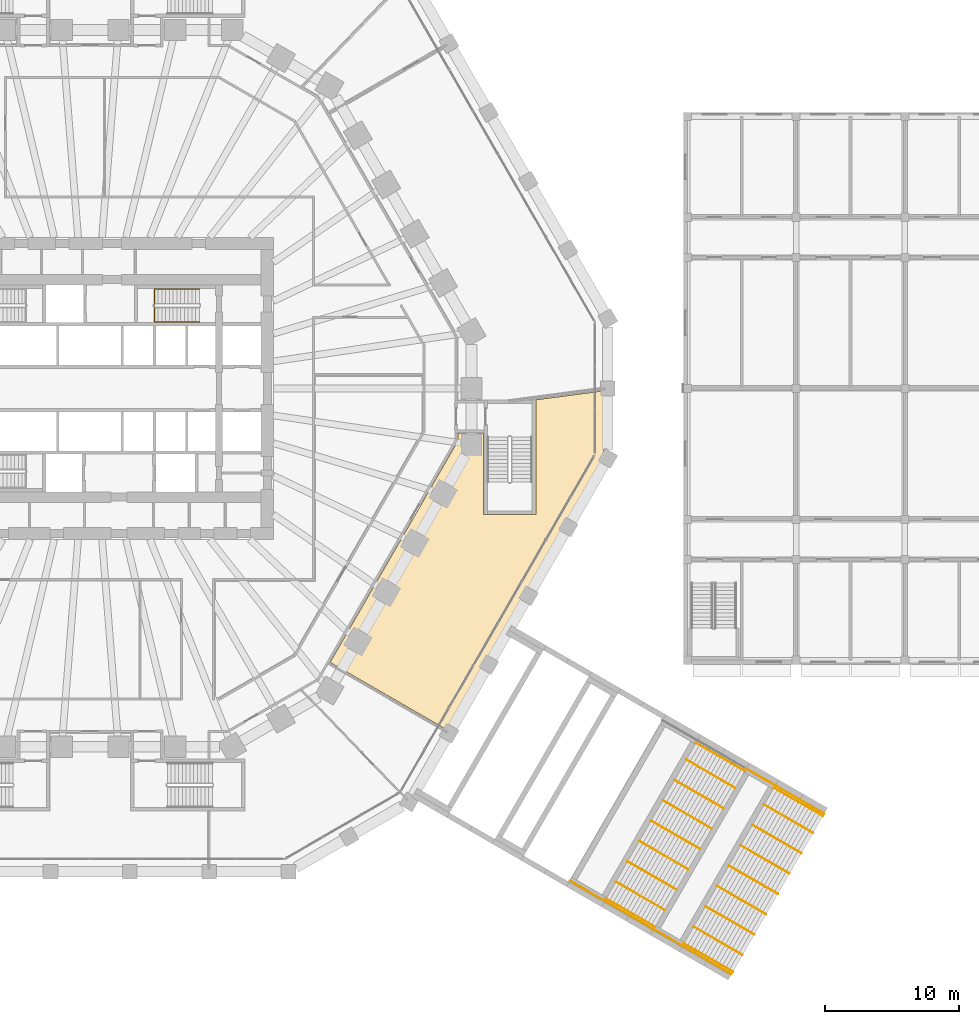
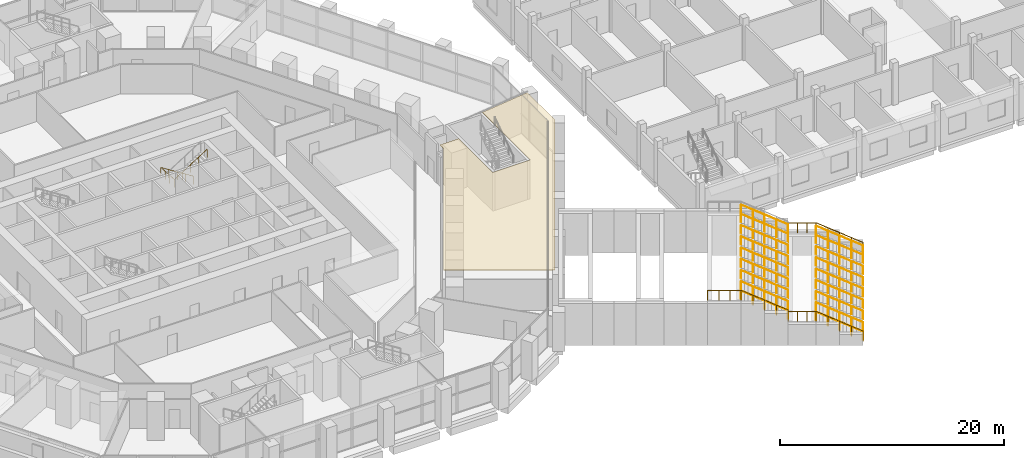
# One storey, part 34 of 38: 25 railings, 1 covering.
"""IFC4 building model written with IfcOpenShell, lengths in metres."""

from ifc_helpers import new_model, si_unit, direction, frame, origin, origin_2d, place, context, subcontext, project, spatial, polyline, circle, outline, extrude, material, layer, layer_set, type_object, element, save


model = new_model("IFC4")

# Units and contexts
model_context = context("Model", 3, precision=1e-05, world=origin(), true_north=direction((0.0, 1.0)))
body_context = subcontext(model_context, "Body", "Model", "MODEL_VIEW")
ifc_project = project(units=[si_unit("LENGTHUNIT", "METRE"), si_unit("AREAUNIT", "SQUARE_METRE"), si_unit("VOLUMEUNIT", "CUBIC_METRE"), si_unit("PLANEANGLEUNIT", "RADIAN"), si_unit("MASSUNIT", "GRAM", prefix="KILO")], contexts=[model_context])

# Site, building, storey
site_placement = place(None, origin())
site = spatial("IfcSite", under=ifc_project, at=site_placement, CompositionType="ELEMENT")
building_placement = place(site_placement, origin())
building = spatial("IfcBuilding", under=site, at=building_placement, Name="Frailejon Research Tower", CompositionType="ELEMENT")
storey_placement = place(building_placement, frame((0.0, 0.0, 5.60009765625)))
storey = spatial("IfcBuildingStorey", under=building, at=storey_placement, Name="L01", CompositionType="ELEMENT", Elevation=5.60009765625)

# Railings
ifc_material_1 = material(Name="Galvanised steel balustrade", Category="steel")
railing_type_1 = type_object("IfcRailingType", Name="Broad stair guard 1100", PredefinedType="GUARDRAIL", material=ifc_material_1)
railing_1_placement = place(storey_placement, frame((35.7451171875, -36.687744140625, 4.599853515625)))
element("IfcRailing", 1, at=railing_1_placement, inside=storey, type_object=railing_type_1, Name="Broad stair E2 landing guard", PredefinedType="GUARDRAIL", context=body_context, shape_type="SweptSolid", body=[
    extrude(circle(Radius=0.02392578125, at=origin_2d()), frame((0.0, 0.0, 1.076171875), z_axis=(0.866010750942, -0.50002537861, 0.0), x_axis=(0.50002537861, 0.866010750942, 0.0)), (0.0, 0.0, 1.0), 2.999755859375),
    extrude(circle(Radius=0.02099609375, at=origin_2d()), origin(), (0.0, 0.0, 1.0), 1.052001953125),
    extrude(circle(Radius=0.02099609375, at=origin_2d()), frame((0.865966796875, -0.5, 0.0)), (0.0, 0.0, 1.0), 1.052001953125),
    extrude(circle(Radius=0.02099609375, at=origin_2d()), frame((1.73193359375, -1.0, 0.0)), (0.0, 0.0, 1.0), 1.052001953125),
    extrude(circle(Radius=0.02099609375, at=origin_2d()), frame((2.597900390625, -1.5, 0.0)), (0.0, 0.0, 1.0), 1.052001953125),
])
for number, where, name in (
    (2, (41.98046875, -40.287841796875, 2.2998046875), "Broad stair E2 landing guard"),
    (3, (48.88037109375, -28.336669921875, 2.2998046875), "Broad stair E2 landing guard"),
):
    element("IfcRailing", number, at=place(storey_placement, frame(where)), inside=storey, type_object=railing_type_1, Name=name, PredefinedType="GUARDRAIL", context=body_context, shape_type="SweptSolid", body=[
        extrude(circle(Radius=0.02392578125, at=origin_2d()), frame((0.0, 0.0, 1.076171875), z_axis=(0.866022959057, -0.500004234368, 0.0), x_axis=(0.500004234368, 0.866022959057, 0.0)), (0.0, 0.0, 1.0), 2.5),
        extrude(circle(Radius=0.02099609375, at=origin_2d()), origin(), (0.0, 0.0, 1.0), 1.052001953125),
        extrude(circle(Radius=0.02099609375, at=origin_2d()), frame((0.7216796875, -0.416748046875, 0.0)), (0.0, 0.0, 1.0), 1.052001953125),
        extrude(circle(Radius=0.02099609375, at=origin_2d()), frame((1.443359375, -0.833251953125, 0.0)), (0.0, 0.0, 1.0), 1.052001953125),
        extrude(circle(Radius=0.02099609375, at=origin_2d()), frame((2.1650390625, -1.25, 0.0)), (0.0, 0.0, 1.0), 1.052001953125),
    ])
railing_2_placement = place(storey_placement, frame((41.98046875, -40.287841796875, 2.453125)))
element("IfcRailing", 4, at=railing_2_placement, inside=storey, type_object=railing_type_1, Name="Broad stair E2 flight guard", PredefinedType="GUARDRAIL", context=body_context, shape_type="SweptSolid", body=[
    extrude(circle(Radius=0.02392578125, at=origin_2d()), frame((0.0, 0.0, 1.076171875), z_axis=(-0.771139760851, 0.445220768027, 0.455106511656), x_axis=(-0.500002543286, -0.866023935413, 0.0)), (0.0, 0.0, 1.0), 4.717041015625),
    extrude(circle(Radius=0.02099609375, at=origin_2d()), origin(), (0.0, 0.0, 1.0), 1.052001953125),
    extrude(circle(Radius=0.02099609375, at=origin_2d()), frame((-0.909423828125, 0.52490234375, 0.53662109375)), (0.0, 0.0, 1.0), 1.052001953125),
    extrude(circle(Radius=0.02099609375, at=origin_2d()), frame((-1.81884765625, 1.050048828125, 1.0732421875)), (0.0, 0.0, 1.0), 1.052001953125),
    extrude(circle(Radius=0.02099609375, at=origin_2d()), frame((-2.72802734375, 1.5751953125, 1.610107421875)), (0.0, 0.0, 1.0), 1.052001953125),
    extrude(circle(Radius=0.02099609375, at=origin_2d()), frame((-3.637451171875, 2.10009765625, 2.146728515625)), (0.0, 0.0, 1.0), 1.052001953125),
])
railing_3_placement = place(storey_placement, frame((47.78271484375, -43.6376953125, 0.1533203125)))
element("IfcRailing", 5, at=railing_3_placement, inside=storey, type_object=railing_type_1, Name="Broad stair E2 flight guard", PredefinedType="GUARDRAIL", context=body_context, shape_type="SweptSolid", body=[
    extrude(circle(Radius=0.02392578125, at=origin_2d()), frame((0.0, 0.0, 1.076171875), z_axis=(-0.771154716562, 0.445207525651, 0.455094124581), x_axis=(-0.49998411664, -0.866034573852, 0.0)), (0.0, 0.0, 1.0), 4.716552734375),
    extrude(circle(Radius=0.02099609375, at=origin_2d()), origin(), (0.0, 0.0, 1.0), 1.052001953125),
    extrude(circle(Radius=0.02099609375, at=origin_2d()), frame((-0.9091796875, 0.52490234375, 0.53662109375)), (0.0, 0.0, 1.0), 1.052001953125),
    extrude(circle(Radius=0.02099609375, at=origin_2d()), frame((-1.818603515625, 1.0498046875, 1.0732421875)), (0.0, 0.0, 1.0), 1.052001953125),
    extrude(circle(Radius=0.02099609375, at=origin_2d()), frame((-2.72802734375, 1.574951171875, 1.60986328125)), (0.0, 0.0, 1.0), 1.052001953125),
    extrude(circle(Radius=0.02099609375, at=origin_2d()), frame((-3.63720703125, 2.099853515625, 2.146484375)), (0.0, 0.0, 1.0), 1.052001953125),
])
railing_4_placement = place(storey_placement, frame((54.682861328125, -31.6865234375, 0.1533203125)))
element("IfcRailing", 6, at=railing_4_placement, inside=storey, type_object=railing_type_1, Name="Broad stair E2 flight guard", PredefinedType="GUARDRAIL", context=body_context, shape_type="SweptSolid", body=[
    extrude(circle(Radius=0.02392578125, at=origin_2d()), frame((0.0, 0.0, 1.076171875), z_axis=(-0.771175695621, 0.445189754885, 0.455075959185), x_axis=(-0.499958946799, -0.866049104564, 0.0)), (0.0, 0.0, 1.0), 4.716796875),
    extrude(circle(Radius=0.02099609375, at=origin_2d()), origin(), (0.0, 0.0, 1.0), 1.052001953125),
    extrude(circle(Radius=0.02099609375, at=origin_2d()), frame((-0.909423828125, 0.52490234375, 0.53662109375)), (0.0, 0.0, 1.0), 1.052001953125),
    extrude(circle(Radius=0.02099609375, at=origin_2d()), frame((-1.81884765625, 1.0498046875, 1.0732421875)), (0.0, 0.0, 1.0), 1.052001953125),
    extrude(circle(Radius=0.02099609375, at=origin_2d()), frame((-2.72802734375, 1.574951171875, 1.60986328125)), (0.0, 0.0, 1.0), 1.052001953125),
    extrude(circle(Radius=0.02099609375, at=origin_2d()), frame((-3.637451171875, 2.099853515625, 2.146484375)), (0.0, 0.0, 1.0), 1.052001953125),
])
ifc_material_2 = material(Name="Stainless steel handrail", Category="steel")
railing_type_2 = type_object("IfcRailingType", Name="Broad stair handrail", PredefinedType="HANDRAIL", material=ifc_material_2)
railing_5_placement = place(storey_placement, frame((42.080322265625, -40.114501953125, 2.453125)))
element("IfcRailing", 7, at=railing_5_placement, inside=storey, type_object=railing_type_2, Name="Broad stair E2 flight handrail", PredefinedType="HANDRAIL", context=body_context, shape_type="SweptSolid", body=[
    extrude(circle(Radius=0.02392578125, at=origin_2d()), frame((0.0, 0.0, 0.8759765625), z_axis=(-0.771118779901, 0.445238538375, 0.455124676578), x_axis=(-0.500027713859, -0.866009402589, 0.0)), (0.0, 0.0, 1.0), 4.716796875),
    extrude(circle(Radius=0.02099609375, at=origin_2d()), origin(), (0.0, 0.0, 1.0), 0.851806640625),
    extrude(circle(Radius=0.02099609375, at=origin_2d()), frame((-0.9091796875, 0.52490234375, 0.53662109375)), (0.0, 0.0, 1.0), 0.851806640625),
    extrude(circle(Radius=0.02099609375, at=origin_2d()), frame((-1.818603515625, 1.050048828125, 1.0732421875)), (0.0, 0.0, 1.0), 0.851806640625),
    extrude(circle(Radius=0.02099609375, at=origin_2d()), frame((-2.72802734375, 1.5751953125, 1.610107421875)), (0.0, 0.0, 1.0), 0.851806640625),
    extrude(circle(Radius=0.02099609375, at=origin_2d()), frame((-3.63720703125, 2.10009765625, 2.146728515625)), (0.0, 0.0, 1.0), 0.851806640625),
])
railing_6_placement = place(storey_placement, frame((47.8828125, -43.464599609375, 0.1533203125)))
element("IfcRailing", 8, at=railing_6_placement, inside=storey, type_object=railing_type_2, Name="Broad stair E2 flight handrail", PredefinedType="HANDRAIL", context=body_context, shape_type="SweptSolid", body=[
    extrude(circle(Radius=0.02392578125, at=origin_2d()), frame((0.0, 0.0, 0.8759765625), z_axis=(-0.77113694491, 0.445249026723, 0.455083636706), x_axis=(-0.500027713859, -0.866009402589, 0.0)), (0.0, 0.0, 1.0), 4.716796875),
    extrude(circle(Radius=0.02099609375, at=origin_2d()), origin(), (0.0, 0.0, 1.0), 0.851806640625),
    extrude(circle(Radius=0.02099609375, at=origin_2d()), frame((-0.9091796875, 0.52490234375, 0.53662109375)), (0.0, 0.0, 1.0), 0.851806640625),
    extrude(circle(Radius=0.02099609375, at=origin_2d()), frame((-1.818603515625, 1.050048828125, 1.0732421875)), (0.0, 0.0, 1.0), 0.851806640625),
    extrude(circle(Radius=0.02099609375, at=origin_2d()), frame((-2.72802734375, 1.5751953125, 1.60986328125)), (0.0, 0.0, 1.0), 0.851806640625),
    extrude(circle(Radius=0.02099609375, at=origin_2d()), frame((-3.63720703125, 2.10009765625, 2.146484375)), (0.0, 0.0, 1.0), 0.851806640625),
])
railing_7_placement = place(storey_placement, frame((42.805419921875, -38.85888671875, 2.453125)))
element("IfcRailing", 9, at=railing_7_placement, inside=storey, type_object=railing_type_2, Name="Broad stair E2 flight handrail", PredefinedType="HANDRAIL", context=body_context, shape_type="SweptSolid", body=[
    extrude(circle(Radius=0.02392578125, at=origin_2d()), frame((0.0, 0.0, 0.8759765625), z_axis=(-0.771118779901, 0.445238538375, 0.455124676578), x_axis=(-0.500027713859, -0.866009402589, 0.0)), (0.0, 0.0, 1.0), 4.716796875),
    extrude(circle(Radius=0.02099609375, at=origin_2d()), origin(), (0.0, 0.0, 1.0), 0.851806640625),
    extrude(circle(Radius=0.02099609375, at=origin_2d()), frame((-0.9091796875, 0.52490234375, 0.53662109375)), (0.0, 0.0, 1.0), 0.851806640625),
    extrude(circle(Radius=0.02099609375, at=origin_2d()), frame((-1.818603515625, 1.050048828125, 1.0732421875)), (0.0, 0.0, 1.0), 0.851806640625),
    extrude(circle(Radius=0.02099609375, at=origin_2d()), frame((-2.72802734375, 1.5751953125, 1.610107421875)), (0.0, 0.0, 1.0), 0.851806640625),
    extrude(circle(Radius=0.02099609375, at=origin_2d()), frame((-3.63720703125, 2.10009765625, 2.146728515625)), (0.0, 0.0, 1.0), 0.851806640625),
])
railing_8_placement = place(storey_placement, frame((48.60791015625, -42.208740234375, 0.1533203125)))
element("IfcRailing", 10, at=railing_8_placement, inside=storey, type_object=railing_type_2, Name="Broad stair E2 flight handrail", PredefinedType="HANDRAIL", context=body_context, shape_type="SweptSolid", body=[
    extrude(circle(Radius=0.02392578125, at=origin_2d()), frame((0.0, 0.0, 0.8759765625), z_axis=(-0.771175695621, 0.445189754885, 0.455075959185), x_axis=(-0.499958946799, -0.866049104564, 0.0)), (0.0, 0.0, 1.0), 4.716796875),
    extrude(circle(Radius=0.02099609375, at=origin_2d()), origin(), (0.0, 0.0, 1.0), 0.851806640625),
    extrude(circle(Radius=0.02099609375, at=origin_2d()), frame((-0.909423828125, 0.52490234375, 0.53662109375)), (0.0, 0.0, 1.0), 0.851806640625),
    extrude(circle(Radius=0.02099609375, at=origin_2d()), frame((-1.81884765625, 1.0498046875, 1.0732421875)), (0.0, 0.0, 1.0), 0.851806640625),
    extrude(circle(Radius=0.02099609375, at=origin_2d()), frame((-2.72802734375, 1.574951171875, 1.60986328125)), (0.0, 0.0, 1.0), 0.851806640625),
    extrude(circle(Radius=0.02099609375, at=origin_2d()), frame((-3.637451171875, 2.099853515625, 2.146484375)), (0.0, 0.0, 1.0), 0.851806640625),
])
railing_9_placement = place(storey_placement, frame((43.680419921875, -37.34326171875, 2.453125)))
element("IfcRailing", 11, at=railing_9_placement, inside=storey, type_object=railing_type_2, Name="Broad stair E2 flight handrail", PredefinedType="HANDRAIL", context=body_context, shape_type="SweptSolid", body=[
    extrude(circle(Radius=0.02392578125, at=origin_2d()), frame((0.0, 0.0, 0.8759765625), z_axis=(-0.771136550297, 0.445197037797, 0.455135164905), x_axis=(-0.49998411664, -0.866034573852, 0.0)), (0.0, 0.0, 1.0), 4.716796875),
    extrude(circle(Radius=0.02099609375, at=origin_2d()), origin(), (0.0, 0.0, 1.0), 0.851806640625),
    extrude(circle(Radius=0.02099609375, at=origin_2d()), frame((-0.9091796875, 0.52490234375, 0.53662109375)), (0.0, 0.0, 1.0), 0.851806640625),
    extrude(circle(Radius=0.02099609375, at=origin_2d()), frame((-1.818603515625, 1.0498046875, 1.0732421875)), (0.0, 0.0, 1.0), 0.851806640625),
    extrude(circle(Radius=0.02099609375, at=origin_2d()), frame((-2.72802734375, 1.574951171875, 1.610107421875)), (0.0, 0.0, 1.0), 0.851806640625),
    extrude(circle(Radius=0.02099609375, at=origin_2d()), frame((-3.63720703125, 2.099853515625, 2.146728515625)), (0.0, 0.0, 1.0), 0.851806640625),
])
railing_10_placement = place(storey_placement, frame((49.48291015625, -40.693359375, 0.1533203125)))
element("IfcRailing", 12, at=railing_10_placement, inside=storey, type_object=railing_type_2, Name="Broad stair E2 flight handrail", PredefinedType="HANDRAIL", context=body_context, shape_type="SweptSolid", body=[
    extrude(circle(Radius=0.02392578125, at=origin_2d()), frame((0.0, 0.0, 0.8759765625), z_axis=(-0.771157924904, 0.44523125512, 0.455065472566), x_axis=(-0.500002543286, -0.866023935413, 0.0)), (0.0, 0.0, 1.0), 4.716796875),
    extrude(circle(Radius=0.02099609375, at=origin_2d()), origin(), (0.0, 0.0, 1.0), 0.851806640625),
    extrude(circle(Radius=0.02099609375, at=origin_2d()), frame((-0.909423828125, 0.52490234375, 0.53662109375)), (0.0, 0.0, 1.0), 0.851806640625),
    extrude(circle(Radius=0.02099609375, at=origin_2d()), frame((-1.81884765625, 1.050048828125, 1.0732421875)), (0.0, 0.0, 1.0), 0.851806640625),
    extrude(circle(Radius=0.02099609375, at=origin_2d()), frame((-2.72802734375, 1.5751953125, 1.60986328125)), (0.0, 0.0, 1.0), 0.851806640625),
    extrude(circle(Radius=0.02099609375, at=origin_2d()), frame((-3.637451171875, 2.10009765625, 2.146484375)), (0.0, 0.0, 1.0), 0.851806640625),
])
railing_11_placement = place(storey_placement, frame((44.555419921875, -35.82763671875, 2.453125)))
element("IfcRailing", 13, at=railing_11_placement, inside=storey, type_object=railing_type_2, Name="Broad stair E2 flight handrail", PredefinedType="HANDRAIL", context=body_context, shape_type="SweptSolid", body=[
    extrude(circle(Radius=0.02392578125, at=origin_2d()), frame((0.0, 0.0, 0.8759765625), z_axis=(-0.771136550297, 0.445197037797, 0.455135164905), x_axis=(-0.49998411664, -0.866034573852, 0.0)), (0.0, 0.0, 1.0), 4.716796875),
    extrude(circle(Radius=0.02099609375, at=origin_2d()), origin(), (0.0, 0.0, 1.0), 0.851806640625),
    extrude(circle(Radius=0.02099609375, at=origin_2d()), frame((-0.9091796875, 0.52490234375, 0.53662109375)), (0.0, 0.0, 1.0), 0.851806640625),
    extrude(circle(Radius=0.02099609375, at=origin_2d()), frame((-1.818603515625, 1.0498046875, 1.0732421875)), (0.0, 0.0, 1.0), 0.851806640625),
    extrude(circle(Radius=0.02099609375, at=origin_2d()), frame((-2.72802734375, 1.574951171875, 1.610107421875)), (0.0, 0.0, 1.0), 0.851806640625),
    extrude(circle(Radius=0.02099609375, at=origin_2d()), frame((-3.63720703125, 2.099853515625, 2.146728515625)), (0.0, 0.0, 1.0), 0.851806640625),
])
railing_12_placement = place(storey_placement, frame((50.35791015625, -39.177734375, 0.1533203125)))
element("IfcRailing", 14, at=railing_12_placement, inside=storey, type_object=railing_type_2, Name="Broad stair E2 flight handrail", PredefinedType="HANDRAIL", context=body_context, shape_type="SweptSolid", body=[
    extrude(circle(Radius=0.02392578125, at=origin_2d()), frame((0.0, 0.0, 0.8759765625), z_axis=(-0.771157924904, 0.44523125512, 0.455065472566), x_axis=(-0.500002543286, -0.866023935413, 0.0)), (0.0, 0.0, 1.0), 4.716796875),
    extrude(circle(Radius=0.02099609375, at=origin_2d()), origin(), (0.0, 0.0, 1.0), 0.851806640625),
    extrude(circle(Radius=0.02099609375, at=origin_2d()), frame((-0.909423828125, 0.52490234375, 0.53662109375)), (0.0, 0.0, 1.0), 0.851806640625),
    extrude(circle(Radius=0.02099609375, at=origin_2d()), frame((-1.81884765625, 1.050048828125, 1.0732421875)), (0.0, 0.0, 1.0), 0.851806640625),
    extrude(circle(Radius=0.02099609375, at=origin_2d()), frame((-2.72802734375, 1.5751953125, 1.60986328125)), (0.0, 0.0, 1.0), 0.851806640625),
    extrude(circle(Radius=0.02099609375, at=origin_2d()), frame((-3.637451171875, 2.10009765625, 2.146484375)), (0.0, 0.0, 1.0), 0.851806640625),
])
railing_13_placement = place(storey_placement, frame((45.430419921875, -34.312255859375, 2.453125)))
element("IfcRailing", 15, at=railing_13_placement, inside=storey, type_object=railing_type_2, Name="Broad stair E2 flight handrail", PredefinedType="HANDRAIL", context=body_context, shape_type="SweptSolid", body=[
    extrude(circle(Radius=0.02392578125, at=origin_2d()), frame((0.0, 0.0, 0.8759765625), z_axis=(-0.771118779901, 0.445238538375, 0.455124676578), x_axis=(-0.500027713859, -0.866009402589, 0.0)), (0.0, 0.0, 1.0), 4.716796875),
    extrude(circle(Radius=0.02099609375, at=origin_2d()), origin(), (0.0, 0.0, 1.0), 0.851806640625),
    extrude(circle(Radius=0.02099609375, at=origin_2d()), frame((-0.9091796875, 0.52490234375, 0.53662109375)), (0.0, 0.0, 1.0), 0.851806640625),
    extrude(circle(Radius=0.02099609375, at=origin_2d()), frame((-1.818603515625, 1.050048828125, 1.0732421875)), (0.0, 0.0, 1.0), 0.851806640625),
    extrude(circle(Radius=0.02099609375, at=origin_2d()), frame((-2.72802734375, 1.5751953125, 1.610107421875)), (0.0, 0.0, 1.0), 0.851806640625),
    extrude(circle(Radius=0.02099609375, at=origin_2d()), frame((-3.63720703125, 2.10009765625, 2.146728515625)), (0.0, 0.0, 1.0), 0.851806640625),
])
railing_14_placement = place(storey_placement, frame((51.23291015625, -37.662109375, 0.1533203125)))
element("IfcRailing", 16, at=railing_14_placement, inside=storey, type_object=railing_type_2, Name="Broad stair E2 flight handrail", PredefinedType="HANDRAIL", context=body_context, shape_type="SweptSolid", body=[
    extrude(circle(Radius=0.02392578125, at=origin_2d()), frame((0.0, 0.0, 0.8759765625), z_axis=(-0.771175695621, 0.445189754885, 0.455075959185), x_axis=(-0.499958946799, -0.866049104564, 0.0)), (0.0, 0.0, 1.0), 4.716796875),
    extrude(circle(Radius=0.02099609375, at=origin_2d()), origin(), (0.0, 0.0, 1.0), 0.851806640625),
    extrude(circle(Radius=0.02099609375, at=origin_2d()), frame((-0.909423828125, 0.52490234375, 0.53662109375)), (0.0, 0.0, 1.0), 0.851806640625),
    extrude(circle(Radius=0.02099609375, at=origin_2d()), frame((-1.81884765625, 1.0498046875, 1.0732421875)), (0.0, 0.0, 1.0), 0.851806640625),
    extrude(circle(Radius=0.02099609375, at=origin_2d()), frame((-2.72802734375, 1.574951171875, 1.60986328125)), (0.0, 0.0, 1.0), 0.851806640625),
    extrude(circle(Radius=0.02099609375, at=origin_2d()), frame((-3.637451171875, 2.099853515625, 2.146484375)), (0.0, 0.0, 1.0), 0.851806640625),
])
railing_15_placement = place(storey_placement, frame((46.305419921875, -32.796630859375, 2.453125)))
element("IfcRailing", 17, at=railing_15_placement, inside=storey, type_object=railing_type_2, Name="Broad stair E2 flight handrail", PredefinedType="HANDRAIL", context=body_context, shape_type="SweptSolid", body=[
    extrude(circle(Radius=0.02392578125, at=origin_2d()), frame((0.0, 0.0, 0.8759765625), z_axis=(-0.771118779901, 0.445238538375, 0.455124676578), x_axis=(-0.500027713859, -0.866009402589, 0.0)), (0.0, 0.0, 1.0), 4.716796875),
    extrude(circle(Radius=0.02099609375, at=origin_2d()), origin(), (0.0, 0.0, 1.0), 0.851806640625),
    extrude(circle(Radius=0.02099609375, at=origin_2d()), frame((-0.9091796875, 0.52490234375, 0.53662109375)), (0.0, 0.0, 1.0), 0.851806640625),
    extrude(circle(Radius=0.02099609375, at=origin_2d()), frame((-1.818603515625, 1.050048828125, 1.0732421875)), (0.0, 0.0, 1.0), 0.851806640625),
    extrude(circle(Radius=0.02099609375, at=origin_2d()), frame((-2.72802734375, 1.5751953125, 1.610107421875)), (0.0, 0.0, 1.0), 0.851806640625),
    extrude(circle(Radius=0.02099609375, at=origin_2d()), frame((-3.63720703125, 2.10009765625, 2.146728515625)), (0.0, 0.0, 1.0), 0.851806640625),
])
railing_16_placement = place(storey_placement, frame((52.10791015625, -36.146484375, 0.1533203125)))
element("IfcRailing", 18, at=railing_16_placement, inside=storey, type_object=railing_type_2, Name="Broad stair E2 flight handrail", PredefinedType="HANDRAIL", context=body_context, shape_type="SweptSolid", body=[
    extrude(circle(Radius=0.02392578125, at=origin_2d()), frame((0.0, 0.0, 0.8759765625), z_axis=(-0.771175695621, 0.445189754885, 0.455075959185), x_axis=(-0.499958946799, -0.866049104564, 0.0)), (0.0, 0.0, 1.0), 4.716796875),
    extrude(circle(Radius=0.02099609375, at=origin_2d()), origin(), (0.0, 0.0, 1.0), 0.851806640625),
    extrude(circle(Radius=0.02099609375, at=origin_2d()), frame((-0.909423828125, 0.52490234375, 0.53662109375)), (0.0, 0.0, 1.0), 0.851806640625),
    extrude(circle(Radius=0.02099609375, at=origin_2d()), frame((-1.81884765625, 1.0498046875, 1.0732421875)), (0.0, 0.0, 1.0), 0.851806640625),
    extrude(circle(Radius=0.02099609375, at=origin_2d()), frame((-2.72802734375, 1.574951171875, 1.60986328125)), (0.0, 0.0, 1.0), 0.851806640625),
    extrude(circle(Radius=0.02099609375, at=origin_2d()), frame((-3.637451171875, 2.099853515625, 2.146484375)), (0.0, 0.0, 1.0), 0.851806640625),
])
railing_17_placement = place(storey_placement, frame((47.180419921875, -31.281005859375, 2.453125)))
element("IfcRailing", 19, at=railing_17_placement, inside=storey, type_object=railing_type_2, Name="Broad stair E2 flight handrail", PredefinedType="HANDRAIL", context=body_context, shape_type="SweptSolid", body=[
    extrude(circle(Radius=0.02392578125, at=origin_2d()), frame((0.0, 0.0, 0.8759765625), z_axis=(-0.771136550297, 0.445197037797, 0.455135164905), x_axis=(-0.49998411664, -0.866034573852, 0.0)), (0.0, 0.0, 1.0), 4.716796875),
    extrude(circle(Radius=0.02099609375, at=origin_2d()), origin(), (0.0, 0.0, 1.0), 0.851806640625),
    extrude(circle(Radius=0.02099609375, at=origin_2d()), frame((-0.9091796875, 0.52490234375, 0.53662109375)), (0.0, 0.0, 1.0), 0.851806640625),
    extrude(circle(Radius=0.02099609375, at=origin_2d()), frame((-1.818603515625, 1.0498046875, 1.0732421875)), (0.0, 0.0, 1.0), 0.851806640625),
    extrude(circle(Radius=0.02099609375, at=origin_2d()), frame((-2.72802734375, 1.574951171875, 1.610107421875)), (0.0, 0.0, 1.0), 0.851806640625),
    extrude(circle(Radius=0.02099609375, at=origin_2d()), frame((-3.63720703125, 2.099853515625, 2.146728515625)), (0.0, 0.0, 1.0), 0.851806640625),
])
railing_18_placement = place(storey_placement, frame((52.98291015625, -34.631103515625, 0.1533203125)))
element("IfcRailing", 20, at=railing_18_placement, inside=storey, type_object=railing_type_2, Name="Broad stair E2 flight handrail", PredefinedType="HANDRAIL", context=body_context, shape_type="SweptSolid", body=[
    extrude(circle(Radius=0.02392578125, at=origin_2d()), frame((0.0, 0.0, 0.8759765625), z_axis=(-0.771157924904, 0.44523125512, 0.455065472566), x_axis=(-0.500002543286, -0.866023935413, 0.0)), (0.0, 0.0, 1.0), 4.716796875),
    extrude(circle(Radius=0.02099609375, at=origin_2d()), origin(), (0.0, 0.0, 1.0), 0.851806640625),
    extrude(circle(Radius=0.02099609375, at=origin_2d()), frame((-0.909423828125, 0.52490234375, 0.53662109375)), (0.0, 0.0, 1.0), 0.851806640625),
    extrude(circle(Radius=0.02099609375, at=origin_2d()), frame((-1.81884765625, 1.050048828125, 1.0732421875)), (0.0, 0.0, 1.0), 0.851806640625),
    extrude(circle(Radius=0.02099609375, at=origin_2d()), frame((-2.72802734375, 1.5751953125, 1.60986328125)), (0.0, 0.0, 1.0), 0.851806640625),
    extrude(circle(Radius=0.02099609375, at=origin_2d()), frame((-3.637451171875, 2.10009765625, 2.146484375)), (0.0, 0.0, 1.0), 0.851806640625),
])
railing_19_placement = place(storey_placement, frame((48.055419921875, -29.765380859375, 2.453125)))
element("IfcRailing", 21, at=railing_19_placement, inside=storey, type_object=railing_type_2, Name="Broad stair E2 flight handrail", PredefinedType="HANDRAIL", context=body_context, shape_type="SweptSolid", body=[
    extrude(circle(Radius=0.02392578125, at=origin_2d()), frame((0.0, 0.0, 0.8759765625), z_axis=(-0.771136550297, 0.445197037797, 0.455135164905), x_axis=(-0.49998411664, -0.866034573852, 0.0)), (0.0, 0.0, 1.0), 4.716796875),
    extrude(circle(Radius=0.02099609375, at=origin_2d()), origin(), (0.0, 0.0, 1.0), 0.851806640625),
    extrude(circle(Radius=0.02099609375, at=origin_2d()), frame((-0.9091796875, 0.52490234375, 0.53662109375)), (0.0, 0.0, 1.0), 0.851806640625),
    extrude(circle(Radius=0.02099609375, at=origin_2d()), frame((-1.818603515625, 1.0498046875, 1.0732421875)), (0.0, 0.0, 1.0), 0.851806640625),
    extrude(circle(Radius=0.02099609375, at=origin_2d()), frame((-2.72802734375, 1.574951171875, 1.610107421875)), (0.0, 0.0, 1.0), 0.851806640625),
    extrude(circle(Radius=0.02099609375, at=origin_2d()), frame((-3.63720703125, 2.099853515625, 2.146728515625)), (0.0, 0.0, 1.0), 0.851806640625),
])
railing_20_placement = place(storey_placement, frame((53.85791015625, -33.115478515625, 0.1533203125)))
element("IfcRailing", 22, at=railing_20_placement, inside=storey, type_object=railing_type_2, Name="Broad stair E2 flight handrail", PredefinedType="HANDRAIL", context=body_context, shape_type="SweptSolid", body=[
    extrude(circle(Radius=0.02392578125, at=origin_2d()), frame((0.0, 0.0, 0.8759765625), z_axis=(-0.771157924904, 0.44523125512, 0.455065472566), x_axis=(-0.500002543286, -0.866023935413, 0.0)), (0.0, 0.0, 1.0), 4.716796875),
    extrude(circle(Radius=0.02099609375, at=origin_2d()), origin(), (0.0, 0.0, 1.0), 0.851806640625),
    extrude(circle(Radius=0.02099609375, at=origin_2d()), frame((-0.909423828125, 0.52490234375, 0.53662109375)), (0.0, 0.0, 1.0), 0.851806640625),
    extrude(circle(Radius=0.02099609375, at=origin_2d()), frame((-1.81884765625, 1.050048828125, 1.0732421875)), (0.0, 0.0, 1.0), 0.851806640625),
    extrude(circle(Radius=0.02099609375, at=origin_2d()), frame((-2.72802734375, 1.5751953125, 1.60986328125)), (0.0, 0.0, 1.0), 0.851806640625),
    extrude(circle(Radius=0.02099609375, at=origin_2d()), frame((-3.637451171875, 2.10009765625, 2.146484375)), (0.0, 0.0, 1.0), 0.851806640625),
])
railing_21_placement = place(storey_placement, frame((48.780517578125, -28.509765625, 2.453125)))
element("IfcRailing", 23, at=railing_21_placement, inside=storey, type_object=railing_type_2, Name="Broad stair E2 flight handrail", PredefinedType="HANDRAIL", context=body_context, shape_type="SweptSolid", body=[
    extrude(circle(Radius=0.02392578125, at=origin_2d()), frame((0.0, 0.0, 0.8759765625), z_axis=(-0.771157530312, 0.445179268287, 0.455116998727), x_axis=(-0.499958946799, -0.866049104564, 0.0)), (0.0, 0.0, 1.0), 4.716796875),
    extrude(circle(Radius=0.02099609375, at=origin_2d()), origin(), (0.0, 0.0, 1.0), 0.851806640625),
    extrude(circle(Radius=0.02099609375, at=origin_2d()), frame((-0.909423828125, 0.52490234375, 0.53662109375)), (0.0, 0.0, 1.0), 0.851806640625),
    extrude(circle(Radius=0.02099609375, at=origin_2d()), frame((-1.81884765625, 1.0498046875, 1.0732421875)), (0.0, 0.0, 1.0), 0.851806640625),
    extrude(circle(Radius=0.02099609375, at=origin_2d()), frame((-2.72802734375, 1.574951171875, 1.610107421875)), (0.0, 0.0, 1.0), 0.851806640625),
    extrude(circle(Radius=0.02099609375, at=origin_2d()), frame((-3.637451171875, 2.099853515625, 2.146728515625)), (0.0, 0.0, 1.0), 0.851806640625),
])
railing_22_placement = place(storey_placement, frame((54.582763671875, -31.85986328125, 0.1533203125)))
element("IfcRailing", 24, at=railing_22_placement, inside=storey, type_object=railing_type_2, Name="Broad stair E2 flight handrail", PredefinedType="HANDRAIL", context=body_context, shape_type="SweptSolid", body=[
    extrude(circle(Radius=0.02392578125, at=origin_2d()), frame((0.0, 0.0, 0.8759765625), z_axis=(-0.77113694491, 0.445249026723, 0.455083636706), x_axis=(-0.500027713859, -0.866009402589, 0.0)), (0.0, 0.0, 1.0), 4.716796875),
    extrude(circle(Radius=0.02099609375, at=origin_2d()), origin(), (0.0, 0.0, 1.0), 0.851806640625),
    extrude(circle(Radius=0.02099609375, at=origin_2d()), frame((-0.9091796875, 0.52490234375, 0.53662109375)), (0.0, 0.0, 1.0), 0.851806640625),
    extrude(circle(Radius=0.02099609375, at=origin_2d()), frame((-1.818603515625, 1.050048828125, 1.0732421875)), (0.0, 0.0, 1.0), 0.851806640625),
    extrude(circle(Radius=0.02099609375, at=origin_2d()), frame((-2.72802734375, 1.5751953125, 1.60986328125)), (0.0, 0.0, 1.0), 0.851806640625),
    extrude(circle(Radius=0.02099609375, at=origin_2d()), frame((-3.63720703125, 2.10009765625, 2.146484375)), (0.0, 0.0, 1.0), 0.851806640625),
])
ifc_material_3 = material(Name="Stainless steel", Category="steel")
railing_type_3 = type_object("IfcRailingType", Name="Stair handrail 900", PredefinedType="HANDRAIL", material=ifc_material_3)
railing_23_placement = place(storey_placement, frame((8.14990234375, 7.39990234375, 0.1767578125)))
element("IfcRailing", 25, at=railing_23_placement, inside=storey, type_object=railing_type_3, Name="L01 ST3 stair handrail 1", PredefinedType="HANDRAIL", context=body_context, shape_type="SweptSolid", body=[
    extrude(circle(Radius=0.02392578125, at=origin_2d()), frame((0.0, 0.0, 0.8759765625), z_axis=(-0.845372108799, 0.0, 0.534177870812), x_axis=(0.0, -1.0, 0.0)), (0.0, 0.0, 1.0), 3.974365234375),
    extrude(circle(Radius=0.02392578125, at=origin_2d()), frame((-3.35986328125, 0.0, 2.9990234375), z_axis=(0.0, -0.997400348276, 0.072059317638), x_axis=(1.0, 0.0, 0.0)), (0.0, 0.0, 1.0), 2.456298828125),
    extrude(circle(Radius=0.02392578125, at=origin_2d()), frame((-3.35986328125, -2.449951171875, 3.17578125), z_axis=(0.845372108799, 0.0, 0.534177870812), x_axis=(0.0, 1.0, 0.0)), (0.0, 0.0, 1.0), 3.974365234375),
    extrude(circle(Radius=0.02099609375, at=origin_2d()), origin(), (0.0, 0.0, 1.0), 0.851806640625),
    extrude(circle(Radius=0.02099609375, at=origin_2d()), frame((-0.83984375, 0.0, 0.53076171875)), (0.0, 0.0, 1.0), 0.851806640625),
    extrude(circle(Radius=0.02099609375, at=origin_2d()), frame((-1.679931640625, 0.0, 1.0615234375)), (0.0, 0.0, 1.0), 0.851806640625),
    extrude(circle(Radius=0.02099609375, at=origin_2d()), frame((-2.52001953125, 0.0, 1.59228515625)), (0.0, 0.0, 1.0), 0.851806640625),
    extrude(circle(Radius=0.02099609375, at=origin_2d()), frame((-3.35986328125, 0.0, 2.123046875)), (0.0, 0.0, 1.0), 0.851806640625),
    extrude(circle(Radius=0.02099609375, at=origin_2d()), frame((-3.35986328125, -0.816650390625, 2.18212890625)), (0.0, 0.0, 1.0), 0.851806640625),
    extrude(circle(Radius=0.02099609375, at=origin_2d()), frame((-3.35986328125, -1.63330078125, 2.240966796875)), (0.0, 0.0, 1.0), 0.851806640625),
    extrude(circle(Radius=0.02099609375, at=origin_2d()), frame((-3.35986328125, -2.449951171875, 2.300048828125)), (0.0, 0.0, 1.0), 0.851806640625),
    extrude(circle(Radius=0.02099609375, at=origin_2d()), frame((-2.52001953125, -2.449951171875, 2.830810546875)), (0.0, 0.0, 1.0), 0.851806640625),
    extrude(circle(Radius=0.02099609375, at=origin_2d()), frame((-1.679931640625, -2.449951171875, 3.361572265625)), (0.0, 0.0, 1.0), 0.851806640625),
    extrude(circle(Radius=0.02099609375, at=origin_2d()), frame((-0.83984375, -2.449951171875, 3.892333984375)), (0.0, 0.0, 1.0), 0.851806640625),
    extrude(circle(Radius=0.02099609375, at=origin_2d()), frame((0.0, -2.449951171875, 4.423095703125)), (0.0, 0.0, 1.0), 0.851806640625),
])

# Covering
ifc_material_4 = material(Name="Mineral fibre ceiling board")
ifc_layer = layer(ifc_material_4, 0.0400390625)
ifc_layer_set = layer_set([ifc_layer], Name="Suspended ceiling 40")
covering_type = type_object("IfcCoveringType", Name="Suspended ceiling 40", PredefinedType="CEILING", material=ifc_layer_set)
covering_placement = place(storey_placement, frame((0.0, 0.0, 4.2099609375)))
element("IfcCovering", 26, at=covering_placement, inside=storey, type_object=covering_type, Name="Ceiling Conference foyer L01-031", PredefinedType="CEILING", context=body_context, shape_type="SweptSolid", body=[
    extrude(outline(polyline([(17.8828125, -20.406005859375), (26.51708984375, -25.39111328125), (38.229248046875, -5.10498046875), (38.229248046875, -0.186279296875), (33.1982421875, -0.853759765625), (33.202880859375, -0.853759765625), (33.202880859375, -9.40380859375), (29.32275390625, -9.40380859375), (29.32275390625, -3.333740234375), (27.40283203125, -3.333740234375), (27.40283203125, -3.9169921875), (17.8828125, -20.406005859375)])), origin(), (0.0, 0.0, 1.0), 0.0400390625),
])

save(model, "model.ifc")
